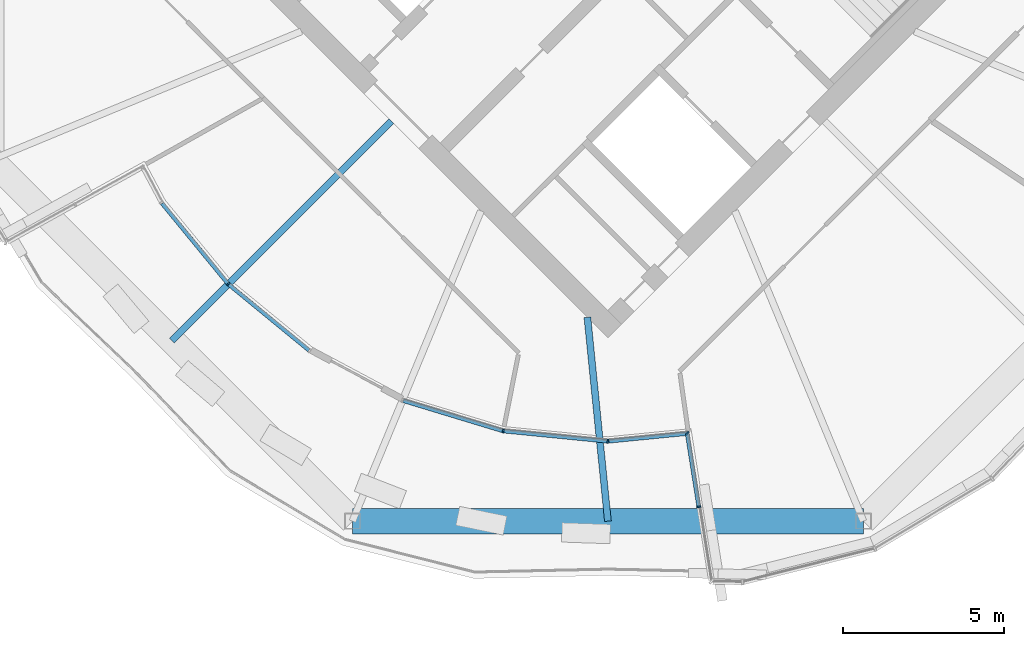
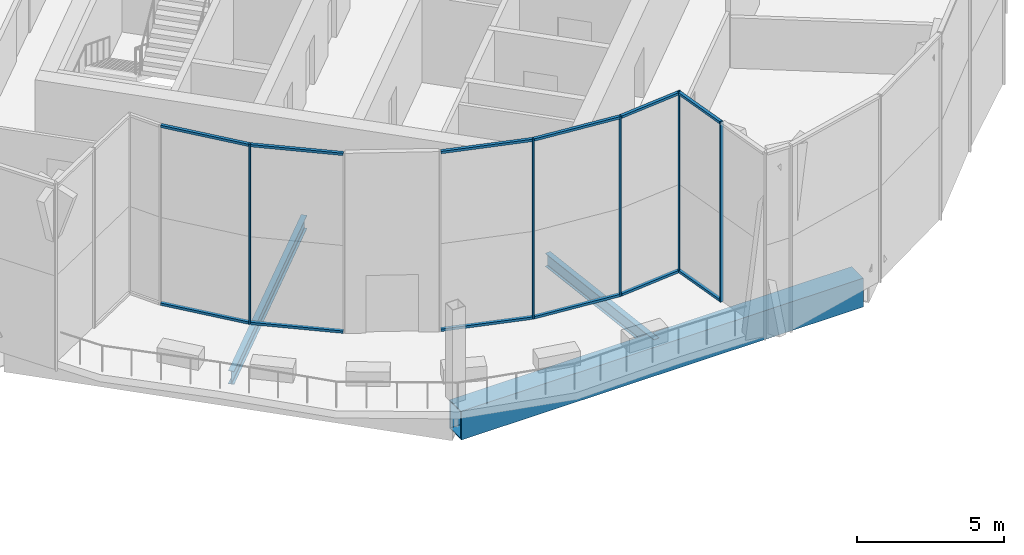
# One storey, part 10 of 26: 17 members, 3 beams, 4 elements without a shape of their own.
"""IFC4 building model written with IfcOpenShell, lengths in metres."""

from ifc_helpers import new_model, si_unit, direction, frame, origin, origin_2d, place, context, subcontext, project, spatial, rectangle, hollow_rectangle, i_section, extrude, material, material_profile, profile_set, type_object, element, aggregate, save


model = new_model("IFC4")

# Units and contexts
model_context = context("Model", 3, precision=1e-05, world=origin(), true_north=direction((0.0, 1.0)))
body_context = subcontext(model_context, "Body", "Model", "MODEL_VIEW")
ifc_project = project(units=[si_unit("LENGTHUNIT", "METRE"), si_unit("AREAUNIT", "SQUARE_METRE"), si_unit("VOLUMEUNIT", "CUBIC_METRE"), si_unit("PLANEANGLEUNIT", "RADIAN"), si_unit("MASSUNIT", "GRAM", prefix="KILO")], contexts=[model_context])

# Site, building, storey
site_placement = place(None, origin())
site = spatial("IfcSite", under=ifc_project, at=site_placement, CompositionType="ELEMENT")
building_placement = place(site_placement, origin())
building = spatial("IfcBuilding", under=site, at=building_placement, Name="Ogive Gate Towers", CompositionType="ELEMENT")
storey_placement = place(building_placement, frame((0.0, 0.0, 208.5)))
storey = spatial("IfcBuildingStorey", under=building, at=storey_placement, Name="L50", CompositionType="ELEMENT", Elevation=208.5)

# Beams
ifc_material_1 = material(Name="Steel SM460", Category="steel")
ifc_material_profile_1 = material_profile(ifc_material_1, hollow_rectangle(XDim=0.800048828125, YDim=1.199951171875, WallThickness=0.050048828125, at=origin_2d()), Name="BX 1200x800x50")
ifc_profile_set_1 = profile_set([ifc_material_profile_1], Name="Steel SM460")
beam_type_1 = type_object("IfcBeamType", Name="Edge girder BX 1200x800x50", PredefinedType="BEAM", material=ifc_profile_set_1)
beam_1_placement = place(storey_placement, frame((28.082275390625, -19.114990234375, -0.89990234375), z_axis=(1.0, 0.0, 0.0), x_axis=(0.0, 1.0, 0.0)))
element("IfcBeam", 1, at=beam_1_placement, inside=storey, type_object=beam_type_1, Name="T2/L50/SBM018", PredefinedType="BEAM", context=body_context, shape_type="SweptSolid", body=[
    extrude(hollow_rectangle(XDim=0.800048828125, YDim=1.199951171875, WallThickness=0.050048828125, at=origin_2d()), origin(), (0.0, 0.0, 1.0), 15.83544921875),
])
ifc_material_2 = material(Name="Steel SM355", Category="steel")
ifc_material_profile_2 = material_profile(ifc_material_2, i_section(OverallWidth=0.2099609375, OverallDepth=0.550048828125, WebThickness=0.010986328125, FlangeThickness=0.01708984375, FilletRadius=0.02392578125, at=origin_2d()), Name="IPE 550")
ifc_profile_set_2 = profile_set([ifc_material_profile_2], Name="Steel SM355")
beam_type_2 = type_object("IfcBeamType", Name="Radial floor beam IPE 550", PredefinedType="BEAM", material=ifc_profile_set_2)
beam_2_placement = place(storey_placement, frame((29.282470703125, -6.717529296875, -0.574951171875), z_axis=(-0.707106781187, -0.707106781187, 0.0), x_axis=(0.707106781187, -0.707106781187, 0.0)))
element("IfcBeam", 2, at=beam_2_placement, inside=storey, type_object=beam_type_2, Name="T2/L50/SBM002", PredefinedType="BEAM", context=body_context, shape_type="SweptSolid", body=[
    extrude(i_section(OverallWidth=0.2099609375, OverallDepth=0.550048828125, WebThickness=0.010986328125, FlangeThickness=0.01708984375, FilletRadius=0.02392578125, at=origin_2d()), origin(), (0.0, 0.0, 1.0), 9.614990234375),
])
beam_3_placement = place(storey_placement, frame((35.363525390625, -12.798583984375, -0.574951171875), z_axis=(0.100257601488, -0.994961513499, 0.0), x_axis=(0.994961513499, 0.100257601488, 0.0)))
element("IfcBeam", 3, at=beam_3_placement, inside=storey, type_object=beam_type_2, Name="T2/L50/SBM004", PredefinedType="BEAM", context=body_context, shape_type="SweptSolid", body=[
    extrude(i_section(OverallWidth=0.2099609375, OverallDepth=0.550048828125, WebThickness=0.010986328125, FlangeThickness=0.01708984375, FilletRadius=0.02392578125, at=origin_2d()), origin(), (0.0, 0.0, 1.0), 6.348388671875),
])

# Curtain wall, member
ifc_material_3 = material(Name="Pale metal aluminium", Category="aluminium")
curtain_wall_type = type_object("IfcCurtainWallType", Name="Sky garden glazing", PredefinedType="NOTDEFINED", material=ifc_material_3)
curtain_wall_1_placement = place(storey_placement, origin())
curtain_wall_1 = element("IfcCurtainWall", 4, at=curtain_wall_1_placement, inside=storey, type_object=curtain_wall_type, Name="CW4 T2 ECW01", PredefinedType="NOTDEFINED")
ifc_material_profile_3 = material_profile(ifc_material_3, rectangle(XDim=0.1201171875, YDim=0.050048828125, at=origin_2d()), Name="50 x 120 aluminium box")
ifc_profile_set_3 = profile_set([ifc_material_profile_3], Name="Pale metal aluminium")
member_type_1 = type_object("IfcMemberType", Name="Sky garden glazing mullion 50 x 120", PredefinedType="MULLION", material=ifc_profile_set_3)
member_1_placement = place(storey_placement, frame((24.230712890625, -11.763671875, 0.0), z_axis=(0.0, 0.0, 1.0), x_axis=(0.773010453363, 0.634393284164, 0.0)))
member_1 = element("IfcMember", 5, at=member_1_placement, type_object=member_type_1, Name="CW4 mullion", PredefinedType="MULLION", context=body_context, shape_type="SweptSolid", body=[
    extrude(rectangle(XDim=0.1201171875, YDim=0.050048828125, at=origin_2d()), origin(), (0.0, 0.0, 1.0), 7.5),
])

# Curtain wall, members
curtain_wall_2_placement = place(storey_placement, origin())
curtain_wall_2 = element("IfcCurtainWall", 6, at=curtain_wall_2_placement, inside=storey, type_object=curtain_wall_type, Name="CW4 T2 ECW02", PredefinedType="NOTDEFINED")
member_2_placement = place(storey_placement, frame((35.99609375, -16.640380859375, 0.0), z_axis=(0.0, 0.0, 1.0), x_axis=(0.09801714033, 0.995184726672, 0.0)))
member_2 = element("IfcMember", 7, at=member_2_placement, type_object=member_type_1, Name="CW4 mullion", PredefinedType="MULLION", context=body_context, shape_type="SweptSolid", body=[
    extrude(rectangle(XDim=0.1201171875, YDim=0.050048828125, at=origin_2d()), origin(), (0.0, 0.0, 1.0), 7.5),
])
member_3_placement = place(storey_placement, frame((32.753662109375, -16.32080078125, 0.0), z_axis=(0.0, 0.0, 1.0), x_axis=(0.195107439919, 0.980781875285, 0.0)))
member_3 = element("IfcMember", 8, at=member_3_placement, type_object=member_type_1, Name="CW4 mullion", PredefinedType="MULLION", context=body_context, shape_type="SweptSolid", body=[
    extrude(rectangle(XDim=0.1201171875, YDim=0.050048828125, at=origin_2d()), origin(), (0.0, 0.0, 1.0), 7.5),
])

curtain_wall_3_placement = place(storey_placement, origin())
curtain_wall_3 = element("IfcCurtainWall", 9, at=curtain_wall_3_placement, inside=storey, type_object=curtain_wall_type, Name="CW4 T2 ECW03", PredefinedType="NOTDEFINED")
member_4_placement = place(storey_placement, frame((38.815185546875, -18.669189453125, 0.0), z_axis=(0.0, 0.0, 1.0), x_axis=(0.987685610148, 0.15645170343, 0.0)))
member_4 = element("IfcMember", 10, at=member_4_placement, type_object=member_type_1, Name="CW4 mullion", PredefinedType="MULLION", context=body_context, shape_type="SweptSolid", body=[
    extrude(rectangle(XDim=0.1201171875, YDim=0.050048828125, at=origin_2d()), origin(), (0.0, 0.0, 1.0), 7.5),
])
member_5_placement = place(storey_placement, frame((38.464599609375, -16.386962890625, 0.0), z_axis=(0.0, 0.0, 1.0), x_axis=(0.611347501522, 0.791362263684, 0.0)))
member_5 = element("IfcMember", 11, at=member_5_placement, type_object=member_type_1, Name="CW4 mullion", PredefinedType="MULLION", context=body_context, shape_type="SweptSolid", body=[
    extrude(rectangle(XDim=0.1201171875, YDim=0.050048828125, at=origin_2d()), origin(), (0.0, 0.0, 1.0), 7.5),
])

# Member
ifc_material_profile_4 = material_profile(ifc_material_3, rectangle(XDim=0.1201171875, YDim=0.10009765625, at=origin_2d()), Name="100 x 120 aluminium box")
ifc_profile_set_4 = profile_set([ifc_material_profile_4], Name="Pale metal aluminium")
member_type_2 = type_object("IfcMemberType", Name="Sky garden glazing transom 100 x 120", PredefinedType="USERDEFINED", material=ifc_profile_set_4)
member_6_placement = place(storey_placement, frame((24.21484375, -11.744384765625, 7.449951171875), z_axis=(-0.634365648019, 0.773033132934, 0.0), x_axis=(-0.773033132934, -0.634365648019, 0.0)))
member_6 = element("IfcMember", 12, at=member_6_placement, type_object=member_type_2, Name="CW4 transom", ObjectType="TRANSOM", PredefinedType="USERDEFINED", context=body_context, shape_type="SweptSolid", body=[
    extrude(rectangle(XDim=0.1201171875, YDim=0.10009765625, at=origin_2d()), origin(), (0.0, 0.0, 1.0), 3.204345703125),
])

member_7_placement = place(storey_placement, frame((24.21484375, -11.744384765625, 0.050048828125), z_axis=(-0.634365648019, 0.773033132934, 0.0), x_axis=(-0.773033132934, -0.634365648019, 0.0)))
member_7 = element("IfcMember", 13, at=member_7_placement, type_object=member_type_2, Name="CW4 transom", ObjectType="TRANSOM", PredefinedType="USERDEFINED", context=body_context, shape_type="SweptSolid", body=[
    extrude(rectangle(XDim=0.1201171875, YDim=0.10009765625, at=origin_2d()), origin(), (0.0, 0.0, 1.0), 3.204345703125),
])

aggregate(curtain_wall_1, [member_1, member_6, member_7])

member_8_placement = place(storey_placement, frame((35.97119140625, -16.637939453125, 7.449951171875), z_axis=(-0.995180238069, 0.098062703192, 0.0), x_axis=(-0.098062703192, -0.995180238069, 0.0)))
member_8 = element("IfcMember", 14, at=member_8_placement, type_object=member_type_2, Name="CW4 transom", ObjectType="TRANSOM", PredefinedType="USERDEFINED", context=body_context, shape_type="SweptSolid", body=[
    extrude(rectangle(XDim=0.1201171875, YDim=0.10009765625, at=origin_2d()), origin(), (0.0, 0.0, 1.0), 3.2041015625),
])

member_9_placement = place(storey_placement, frame((35.97119140625, -16.637939453125, 0.050048828125), z_axis=(-0.995180238069, 0.098062703192, 0.0), x_axis=(-0.098062703192, -0.995180238069, 0.0)))
member_9 = element("IfcMember", 15, at=member_9_placement, type_object=member_type_2, Name="CW4 transom", ObjectType="TRANSOM", PredefinedType="USERDEFINED", context=body_context, shape_type="SweptSolid", body=[
    extrude(rectangle(XDim=0.1201171875, YDim=0.10009765625, at=origin_2d()), origin(), (0.0, 0.0, 1.0), 3.2041015625),
])

member_10_placement = place(storey_placement, frame((32.725830078125, -16.3125, 7.449951171875), z_axis=(-0.956934641916, 0.290303446588, 0.0), x_axis=(-0.290303446588, -0.956934641916, 0.0)))
member_10 = element("IfcMember", 16, at=member_10_placement, type_object=member_type_2, Name="CW4 transom", ObjectType="TRANSOM", PredefinedType="USERDEFINED", context=body_context, shape_type="SweptSolid", body=[
    extrude(rectangle(XDim=0.1201171875, YDim=0.10009765625, at=origin_2d()), origin(), (0.0, 0.0, 1.0), 3.2041015625),
])

member_11_placement = place(storey_placement, frame((32.725830078125, -16.3125, 0.050048828125), z_axis=(-0.956934641916, 0.290303446588, 0.0), x_axis=(-0.290303446588, -0.956934641916, 0.0)))
member_11 = element("IfcMember", 17, at=member_11_placement, type_object=member_type_2, Name="CW4 transom", ObjectType="TRANSOM", PredefinedType="USERDEFINED", context=body_context, shape_type="SweptSolid", body=[
    extrude(rectangle(XDim=0.1201171875, YDim=0.10009765625, at=origin_2d()), origin(), (0.0, 0.0, 1.0), 3.2041015625),
])

aggregate(curtain_wall_2, [member_2, member_3, member_8, member_9, member_10, member_11])

# Curtain wall, members
curtain_wall_4_placement = place(storey_placement, origin())
curtain_wall_4 = element("IfcCurtainWall", 18, at=curtain_wall_4_placement, inside=storey, type_object=curtain_wall_type, Name="CW4 T2 ECW02b", PredefinedType="NOTDEFINED")
member_12_placement = place(storey_placement, frame((26.732666015625, -13.81787109375, 7.449951171875), z_axis=(-0.773033132934, 0.634365648019, 0.0), x_axis=(-0.634365648019, -0.773033132934, 0.0)))
member_12 = element("IfcMember", 19, at=member_12_placement, type_object=member_type_2, Name="CW4 transom", ObjectType="TRANSOM", PredefinedType="USERDEFINED", context=body_context, shape_type="SweptSolid", body=[
    extrude(rectangle(XDim=0.1201171875, YDim=0.10009765625, at=origin_2d()), origin(), (0.0, 0.0, 1.0), 3.204345703125),
])
member_13_placement = place(storey_placement, frame((26.732666015625, -13.81787109375, 0.050048828125), z_axis=(-0.773033132934, 0.634365648019, 0.0), x_axis=(-0.634365648019, -0.773033132934, 0.0)))
member_13 = element("IfcMember", 20, at=member_13_placement, type_object=member_type_2, Name="CW4 transom", ObjectType="TRANSOM", PredefinedType="USERDEFINED", context=body_context, shape_type="SweptSolid", body=[
    extrude(rectangle(XDim=0.1201171875, YDim=0.10009765625, at=origin_2d()), origin(), (0.0, 0.0, 1.0), 3.204345703125),
])
aggregate(curtain_wall_4, [member_12, member_13])

# Member
member_14_placement = place(storey_placement, frame((38.811279296875, -18.644287109375, 7.449951171875), z_axis=(-0.156445123344, 0.987686652427, 0.0), x_axis=(-0.987686652427, -0.156445123344, 0.0)))
member_14 = element("IfcMember", 21, at=member_14_placement, type_object=member_type_2, Name="CW4 transom", ObjectType="TRANSOM", PredefinedType="USERDEFINED", context=body_context, shape_type="SweptSolid", body=[
    extrude(rectangle(XDim=0.1201171875, YDim=0.10009765625, at=origin_2d()), origin(), (0.0, 0.0, 1.0), 2.2861328125),
])

member_15_placement = place(storey_placement, frame((38.811279296875, -18.644287109375, 0.050048828125), z_axis=(-0.156445123344, 0.987686652427, 0.0), x_axis=(-0.987686652427, -0.156445123344, 0.0)))
member_15 = element("IfcMember", 22, at=member_15_placement, type_object=member_type_2, Name="CW4 transom", ObjectType="TRANSOM", PredefinedType="USERDEFINED", context=body_context, shape_type="SweptSolid", body=[
    extrude(rectangle(XDim=0.1201171875, YDim=0.10009765625, at=origin_2d()), origin(), (0.0, 0.0, 1.0), 2.2861328125),
])

member_16_placement = place(storey_placement, frame((38.46826171875, -16.397705078125, 7.449951171875), z_axis=(-0.99518595172, -0.09800470141, 0.0), x_axis=(0.09800470141, -0.99518595172, 0.0)))
member_16 = element("IfcMember", 23, at=member_16_placement, type_object=member_type_2, Name="CW4 transom", ObjectType="TRANSOM", PredefinedType="USERDEFINED", context=body_context, shape_type="SweptSolid", body=[
    extrude(rectangle(XDim=0.1201171875, YDim=0.10009765625, at=origin_2d()), origin(), (0.0, 0.0, 1.0), 2.451171875),
])

member_17_placement = place(storey_placement, frame((38.46826171875, -16.397705078125, 0.050048828125), z_axis=(-0.99518595172, -0.09800470141, 0.0), x_axis=(0.09800470141, -0.99518595172, 0.0)))
member_17 = element("IfcMember", 24, at=member_17_placement, type_object=member_type_2, Name="CW4 transom", ObjectType="TRANSOM", PredefinedType="USERDEFINED", context=body_context, shape_type="SweptSolid", body=[
    extrude(rectangle(XDim=0.1201171875, YDim=0.10009765625, at=origin_2d()), origin(), (0.0, 0.0, 1.0), 2.451171875),
])

aggregate(curtain_wall_3, [member_4, member_5, member_14, member_15, member_16, member_17])

save(model, "model.ifc")
